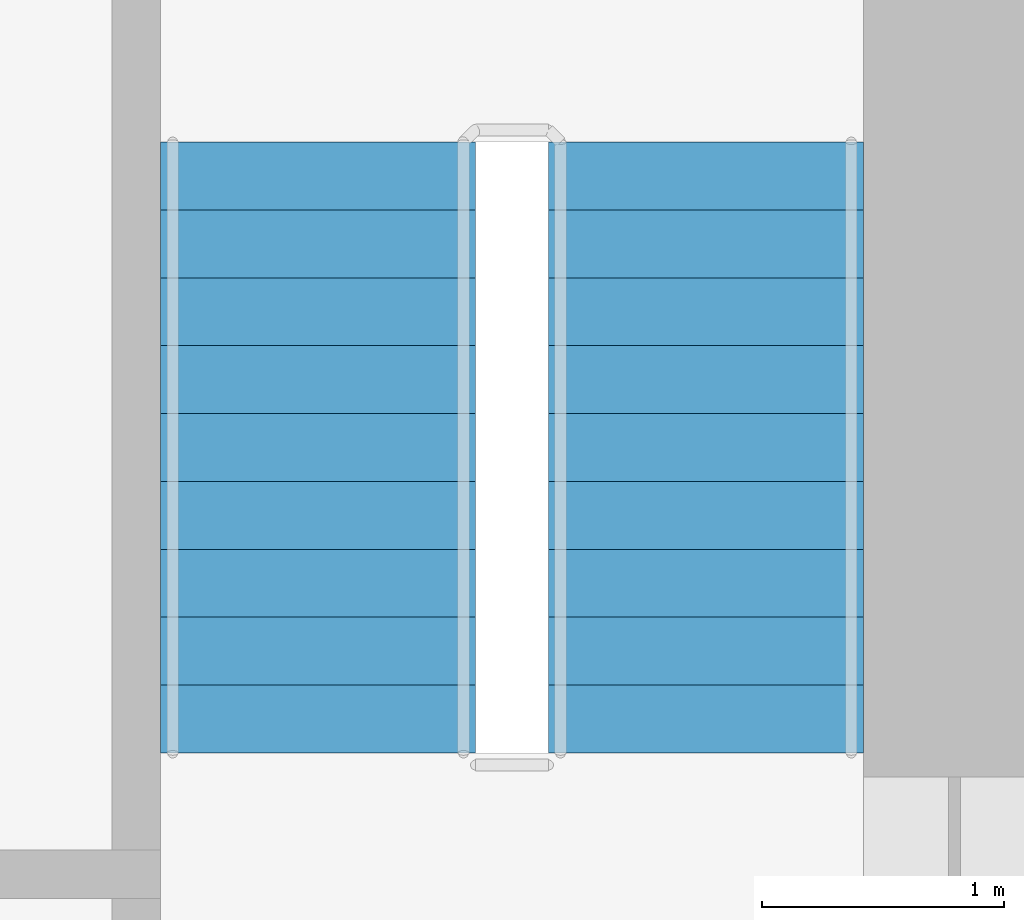
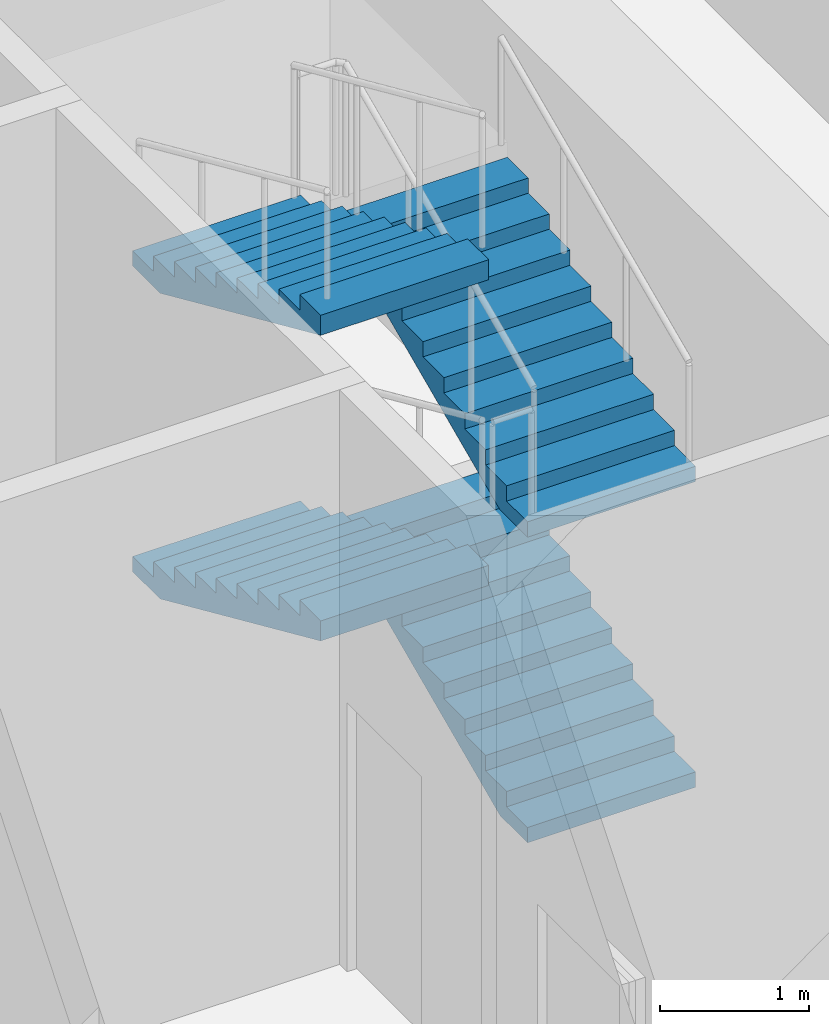
# One storey, part 11 of 16: 4 stair flights, 1 element without a shape of its own.
"""IFC4 building model written with IfcOpenShell, lengths in metres."""

from ifc_helpers import new_model, si_unit, direction, frame, origin, place, context, subcontext, project, spatial, polyline, outline, extrude, material, type_object, element, aggregate, save


model = new_model("IFC4")

# Units and contexts
model_context = context("Model", 3, precision=1e-05, world=origin(), true_north=direction((0.0, 1.0)))
body_context = subcontext(model_context, "Body", "Model", "MODEL_VIEW")
ifc_project = project(units=[si_unit("LENGTHUNIT", "METRE"), si_unit("AREAUNIT", "SQUARE_METRE"), si_unit("VOLUMEUNIT", "CUBIC_METRE"), si_unit("PLANEANGLEUNIT", "RADIAN"), si_unit("MASSUNIT", "GRAM", prefix="KILO")], contexts=[model_context])

# Site, building, storey
site_placement = place(None, origin())
site = spatial("IfcSite", under=ifc_project, at=site_placement, CompositionType="ELEMENT")
building_placement = place(site_placement, origin())
building = spatial("IfcBuilding", under=site, at=building_placement, Name="Orbiselva Terraces", CompositionType="ELEMENT")
storey_placement = place(building_placement, frame((0.0, 0.0, 174.4)))
storey = spatial("IfcBuildingStorey", under=building, at=storey_placement, Name="L44", CompositionType="ELEMENT", Elevation=174.4)

# Stair, stair flights
ifc_material = material(Name="Concrete C40/50", Category="concrete")
stair_type = type_object("IfcStairType", Name="CORE-STAIR-1300", PredefinedType="HALF_TURN_STAIR", material=ifc_material)
stair_placement = place(storey_placement, origin())
stair = element("IfcStair", 1, at=stair_placement, inside=storey, type_object=stair_type, Name="L44 Exit Stair S2", PredefinedType="HALF_TURN_STAIR")
stair_flight_type = type_object("IfcStairFlightType", Name="CORE-STAIR-FLIGHT-1300", PredefinedType="STRAIGHT", material=ifc_material)
stair_flight_1_placement = place(storey_placement, frame((12.1, 12.7, 0.0), z_axis=(0.0, 0.0, 1.0), x_axis=(0.0, 1.0, 0.0)))
stair_flight_1 = element("IfcStairFlight", 2, at=stair_flight_1_placement, type_object=stair_flight_type, Name="S2 flight 1", NumberOfRisers=10, NumberOfTreads=9, PredefinedType="STRAIGHT", RiserHeight=0.125, TreadLength=0.28, context=body_context, shape_type="SweptSolid", body=[
    extrude(outline(polyline([(0.0, 0.0), (0.0, 0.125), (0.28, 0.125), (0.28, 0.25), (0.56, 0.25), (0.56, 0.375), (0.84, 0.375), (0.84, 0.5), (1.12, 0.5), (1.12, 0.625), (1.4, 0.625), (1.4, 0.75), (1.68, 0.75), (1.68, 0.875), (1.96, 0.875), (1.96, 1.0), (2.24, 1.0), (2.24, 1.125), (2.52, 1.125), (2.52, 1.25), (2.52, 0.960731), (0.367962, 0.0), (0.0, 0.0)])), frame((0.0, 0.65, 0.0), z_axis=(0.0, -1.0, 0.0), x_axis=(1.0, 0.0, 0.0)), (0.0, 0.0, 1.0), 1.3),
])
stair_flight_2_placement = place(storey_placement, frame((10.5, 15.22, 1.25), z_axis=(0.0, 0.0, 1.0), x_axis=(0.0, -1.0, 0.0)))
stair_flight_2 = element("IfcStairFlight", 3, at=stair_flight_2_placement, type_object=stair_flight_type, Name="S2 flight 2", NumberOfRisers=10, NumberOfTreads=9, PredefinedType="STRAIGHT", RiserHeight=0.125, TreadLength=0.28, context=body_context, shape_type="SweptSolid", body=[
    extrude(outline(polyline([(0.0, 0.0), (0.0, 0.125), (0.28, 0.125), (0.28, 0.25), (0.56, 0.25), (0.56, 0.375), (0.84, 0.375), (0.84, 0.5), (1.12, 0.5), (1.12, 0.625), (1.4, 0.625), (1.4, 0.75), (1.68, 0.75), (1.68, 0.875), (1.96, 0.875), (1.96, 1.0), (2.24, 1.0), (2.24, 1.125), (2.52, 1.125), (2.52, 1.25), (2.52, 0.960731), (0.367962, 0.0), (0.0, 0.0)])), frame((0.0, 0.65, 0.0), z_axis=(0.0, -1.0, 0.0), x_axis=(1.0, 0.0, 0.0)), (0.0, 0.0, 1.0), 1.3),
])
stair_flight_3_placement = place(storey_placement, frame((12.1, 12.7, 2.5), z_axis=(0.0, 0.0, 1.0), x_axis=(0.0, 1.0, 0.0)))
stair_flight_3 = element("IfcStairFlight", 4, at=stair_flight_3_placement, type_object=stair_flight_type, Name="S2 flight 3", NumberOfRisers=10, NumberOfTreads=9, PredefinedType="STRAIGHT", RiserHeight=0.125, TreadLength=0.28, context=body_context, shape_type="SweptSolid", body=[
    extrude(outline(polyline([(0.0, 0.0), (0.0, 0.125), (0.28, 0.125), (0.28, 0.25), (0.56, 0.25), (0.56, 0.375), (0.84, 0.375), (0.84, 0.5), (1.12, 0.5), (1.12, 0.625), (1.4, 0.625), (1.4, 0.75), (1.68, 0.75), (1.68, 0.875), (1.96, 0.875), (1.96, 1.0), (2.24, 1.0), (2.24, 1.125), (2.52, 1.125), (2.52, 1.25), (2.52, 0.960731), (0.367962, 0.0), (0.0, 0.0)])), frame((0.0, 0.65, 0.0), z_axis=(0.0, -1.0, 0.0), x_axis=(1.0, 0.0, 0.0)), (0.0, 0.0, 1.0), 1.3),
])
stair_flight_4_placement = place(storey_placement, frame((10.5, 15.22, 3.75), z_axis=(0.0, 0.0, 1.0), x_axis=(0.0, -1.0, 0.0)))
stair_flight_4 = element("IfcStairFlight", 5, at=stair_flight_4_placement, type_object=stair_flight_type, Name="S2 flight 4", NumberOfRisers=10, NumberOfTreads=9, PredefinedType="STRAIGHT", RiserHeight=0.125, TreadLength=0.28, context=body_context, shape_type="SweptSolid", body=[
    extrude(outline(polyline([(0.0, 0.0), (0.0, 0.125), (0.28, 0.125), (0.28, 0.25), (0.56, 0.25), (0.56, 0.375), (0.84, 0.375), (0.84, 0.5), (1.12, 0.5), (1.12, 0.625), (1.4, 0.625), (1.4, 0.75), (1.68, 0.75), (1.68, 0.875), (1.96, 0.875), (1.96, 1.0), (2.24, 1.0), (2.24, 1.125), (2.52, 1.125), (2.52, 1.25), (2.52, 0.960731), (0.367962, 0.0), (0.0, 0.0)])), frame((0.0, 0.65, 0.0), z_axis=(0.0, -1.0, 0.0), x_axis=(1.0, 0.0, 0.0)), (0.0, 0.0, 1.0), 1.3),
])
aggregate(stair, [stair_flight_1, stair_flight_2, stair_flight_3, stair_flight_4])

save(model, "model.ifc")
